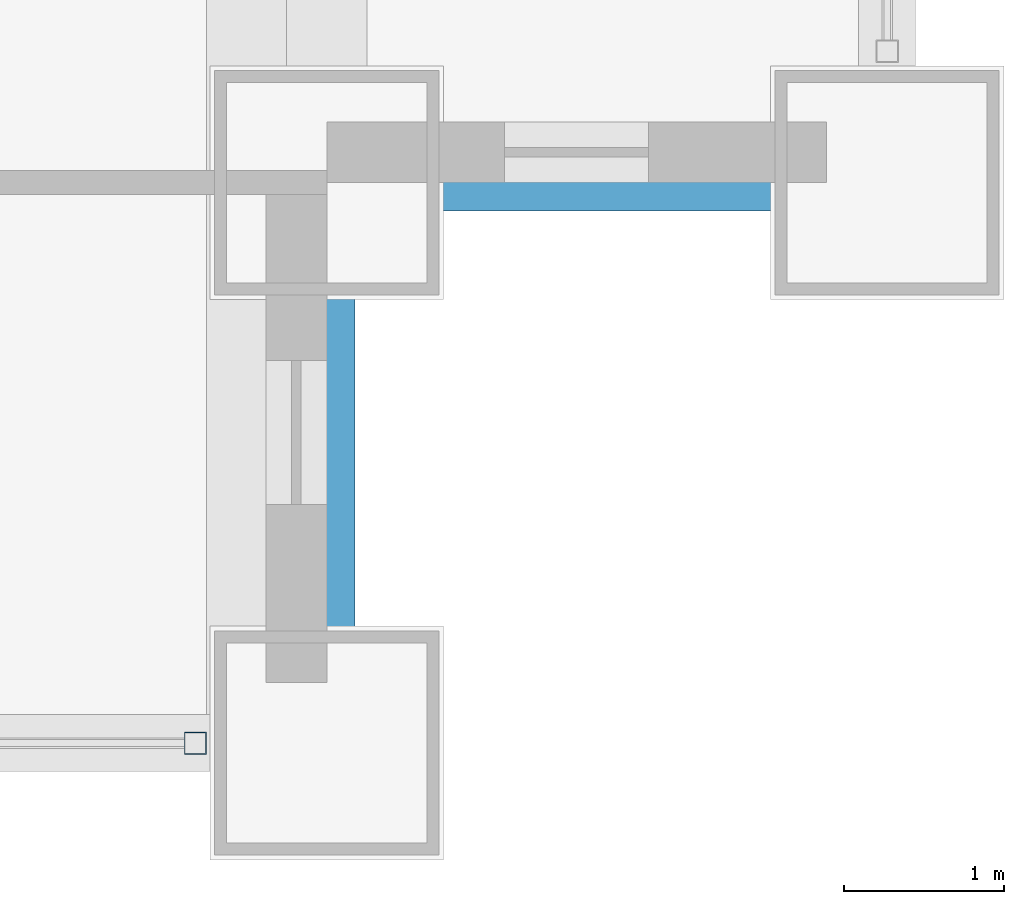
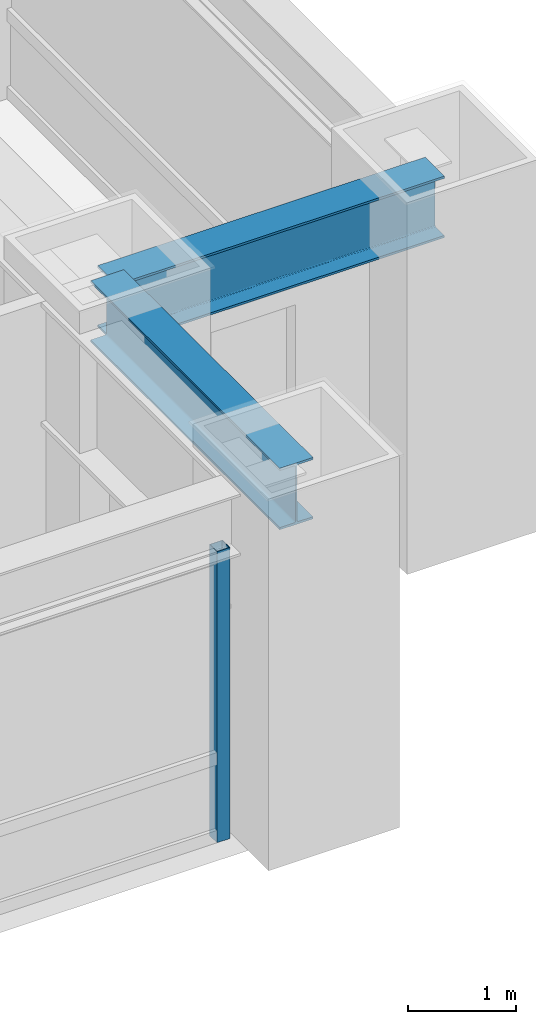
# One storey, part 6 of 29: 2 beams, 1 member, 1 element without a shape of its own.
"""IFC4 building model written with IfcOpenShell, lengths in metres."""

from ifc_helpers import new_model, si_unit, direction, frame, origin, origin_2d, place, context, subcontext, project, spatial, hollow_rectangle, i_section, extrude, source, transform, mapped, material, material_profile, profile_set, type_object, element, aggregate, save


model = new_model("IFC4")

# Units and contexts
model_context = context("Model", 3, precision=1e-05, world=origin(), true_north=direction((0.0, 1.0)))
body_context = subcontext(model_context, "Body", "Model", "MODEL_VIEW")
ifc_project = project(units=[si_unit("LENGTHUNIT", "METRE"), si_unit("AREAUNIT", "SQUARE_METRE"), si_unit("VOLUMEUNIT", "CUBIC_METRE"), si_unit("PLANEANGLEUNIT", "RADIAN"), si_unit("MASSUNIT", "GRAM", prefix="KILO")], contexts=[model_context])

# Site, building, storey
site_placement = place(None, origin())
site = spatial("IfcSite", under=ifc_project, at=site_placement, CompositionType="ELEMENT")
building_placement = place(site_placement, origin())
building = spatial("IfcBuilding", under=site, at=building_placement, Name="Khorayat Bourse Tower", CompositionType="ELEMENT")
storey_placement = place(building_placement, frame((0.0, 0.0, 87.199951171875)))
storey = spatial("IfcBuildingStorey", under=building, at=storey_placement, Name="L19", CompositionType="ELEMENT", Elevation=87.199951171875)

# Beams
ifc_material_1 = material(Name="Steel ASTM A992 Grade 50", Category="steel")
ifc_material_profile_1 = material_profile(ifc_material_1, i_section(OverallWidth=0.35498046875, OverallDepth=0.695068359375, WebThickness=0.015380859375, FlangeThickness=0.02490234375, FilletRadius=0.01806640625, at=origin_2d()), Name="W690X217")
ifc_profile_set_1 = profile_set([ifc_material_profile_1], Name="Steel ASTM A992 Grade 50")
beam_type = type_object("IfcBeamType", Name="BM-SPAN-690", PredefinedType="SPANDREL", material=ifc_profile_set_1)
shared_shape_1 = source(origin(), body_context, "Body", "SweptSolid", [
    extrude(i_section(OverallWidth=0.35498046875, OverallDepth=0.695068359375, WebThickness=0.015380859375, FlangeThickness=0.02490234375, FilletRadius=0.01806640625, at=origin_2d()), origin(), (0.0, 0.0, 1.0), 3.5),
])
for number, where, z_axis, x_axis, name in (
    (1, (28.5, -32.0, 3.592529296875), (0.0, 1.0, 0.0), (-1.0, 0.0, 0.0), "L19 BM-SPAN-690 BM-L19-SPN-032"),
    (2, (28.5, -28.5, 3.592529296875), (1.0, 0.0, 0.0), (0.0, 1.0, 0.0), "L19 BM-SPAN-690 BM-L19-SPN-033"),
):
    element("IfcBeam", number, at=place(storey_placement, frame(where, z_axis=z_axis, x_axis=x_axis)), inside=storey, type_object=beam_type, Name=name, PredefinedType="SPANDREL", context=body_context, shape_type="MappedRepresentation", body=[
        mapped(shared_shape_1, transform((0.0, 0.0, 0.0), scale=1.0)),
    ])

# Curtain wall, member
ifc_material_2 = material(Name="Aluminium EN AW-6063 T6", Category="aluminium")
curtain_wall_type = type_object("IfcCurtainWallType", Name="CW-SYS-02", PredefinedType="NOTDEFINED", material=ifc_material_2)
curtain_wall_placement = place(storey_placement, origin())
curtain_wall = element("IfcCurtainWall", 3, at=curtain_wall_placement, inside=storey, type_object=curtain_wall_type, Name="L19 Curtain Wall CW-L19-S1", PredefinedType="NOTDEFINED")
ifc_material_profile_2 = material_profile(ifc_material_2, hollow_rectangle(XDim=0.139892578125, YDim=0.139892578125, WallThickness=0.006103515625, at=origin_2d()), Name="ALU 140x140x6")
ifc_profile_set_2 = profile_set([ifc_material_profile_2], Name="Aluminium EN AW-6063 T6")
member_type = type_object("IfcMemberType", Name="CWM-VERT-140", PredefinedType="MULLION", material=ifc_profile_set_2)
shared_shape_2 = source(origin(), body_context, "Body", "SweptSolid", [
    extrude(hollow_rectangle(XDim=0.139892578125, YDim=0.139892578125, WallThickness=0.006103515625, at=origin_2d()), origin(), (0.0, 0.0, 1.0), 3.2900390625),
])
member_placement = place(storey_placement, frame((27.679931640625, -32.0, 0.0), z_axis=(0.0, 0.0, 1.0), x_axis=(0.0, 1.0, 0.0)))
member = element("IfcMember", 4, at=member_placement, type_object=member_type, Name="CW-L19-S1 Vertical Mullion 3", PredefinedType="MULLION", context=body_context, shape_type="MappedRepresentation", body=[
    mapped(shared_shape_2, transform((0.0, 0.0, 0.0), scale=1.0)),
])
aggregate(curtain_wall, [member])

save(model, "model.ifc")
